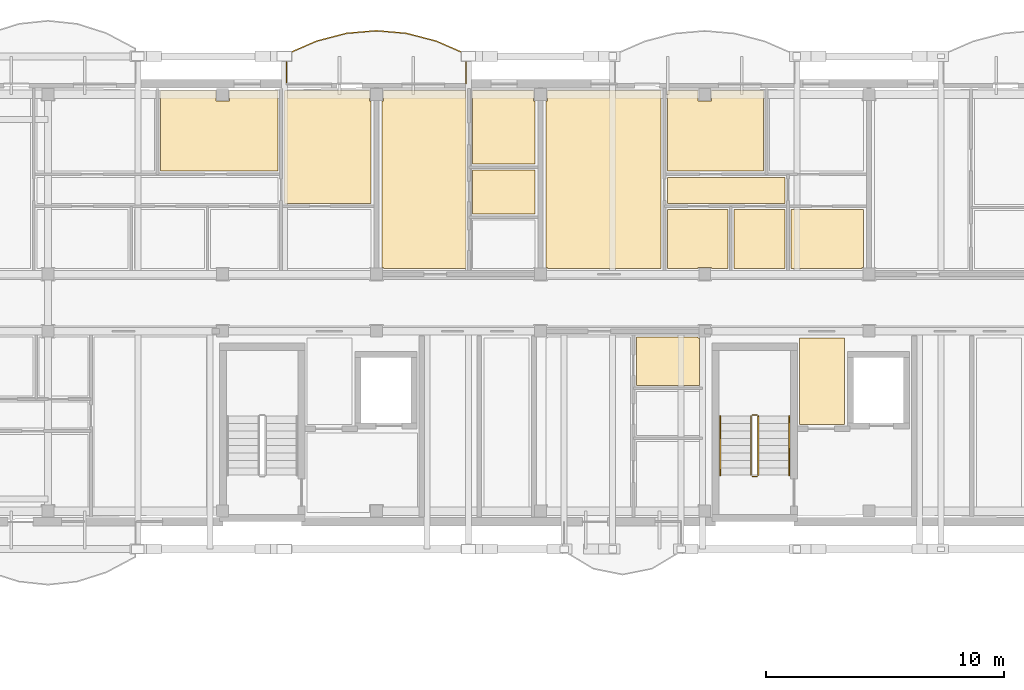
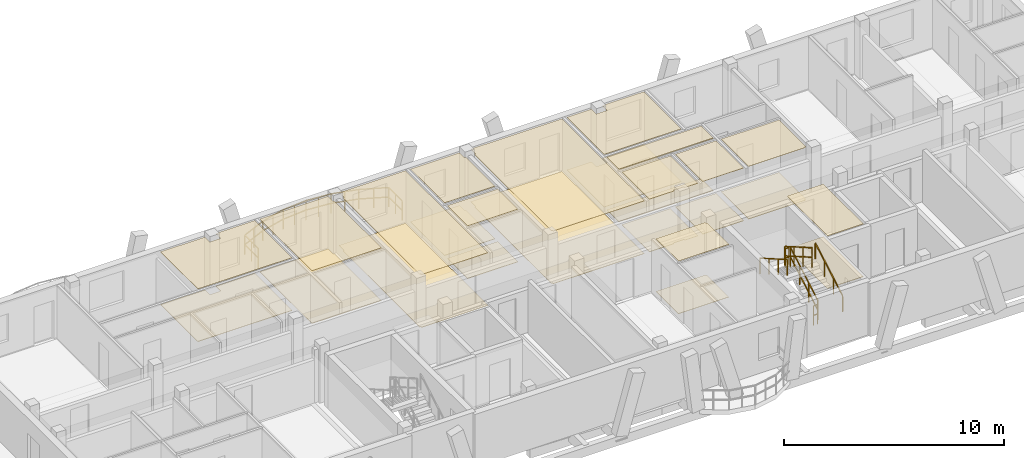
# One storey, part 107 of 109: 26 coverings, 7 railings.
"""IFC4 building model written with IfcOpenShell, lengths in metres."""

from ifc_helpers import new_model, si_unit, direction, frame, origin, origin_2d, place, context, subcontext, project, spatial, polyline, rectangle, outline, extrude, material, layer, layer_set, type_object, element, save


model = new_model("IFC4")

# Units and contexts
model_context = context("Model", 3, precision=1e-05, world=origin(), true_north=direction((0.0, 1.0)))
body_context = subcontext(model_context, "Body", "Model", "MODEL_VIEW")
ifc_project = project(units=[si_unit("LENGTHUNIT", "METRE"), si_unit("AREAUNIT", "SQUARE_METRE"), si_unit("VOLUMEUNIT", "CUBIC_METRE"), si_unit("PLANEANGLEUNIT", "RADIAN"), si_unit("MASSUNIT", "GRAM", prefix="KILO")], contexts=[model_context])

# Site, building, storey
site_placement = place(None, origin())
site = spatial("IfcSite", under=ifc_project, at=site_placement, CompositionType="ELEMENT")
building_placement = place(site_placement, origin())
building = spatial("IfcBuilding", under=site, at=building_placement, Name="Zavelmont Quarter", CompositionType="ELEMENT")
storey_placement = place(building_placement, frame((0.0, 0.0, 8.0)))
storey = spatial("IfcBuildingStorey", under=building, at=storey_placement, Name="L02", CompositionType="ELEMENT", Elevation=8.0)

# Coverings
ifc_material_1 = material(Name="Perforated acoustic gypsum board")
ifc_layer_1 = layer(ifc_material_1, 0.02490234375)
ifc_layer_set_1 = layer_set([ifc_layer_1], Name="Perforated acoustic gypsum board")
covering_type_1 = type_object("IfcCoveringType", Name="CV-CL01", PredefinedType="CEILING", material=ifc_layer_set_1)
covering_1_placement = place(storey_placement, frame((0.0, 0.0, 2.9150390625)))
element("IfcCovering", 1, at=covering_1_placement, inside=storey, type_object=covering_type_1, Name="L02 Lobby Vestibule acoustic ceiling", PredefinedType="CEILING", context=body_context, shape_type="SweptSolid", body=[
    extrude(outline(polyline([(151.280029296875, 105.320068359375), (153.169921875, 105.320068359375), (153.169921875, 101.679931640625), (151.280029296875, 101.679931640625), (151.280029296875, 105.320068359375)])), origin(), (0.0, 0.0, 1.0), 0.02490234375),
])
covering_2_placement = place(storey_placement, frame((0.0, 0.0, 2.9150390625)))
element("IfcCovering", 2, at=covering_2_placement, inside=storey, type_object=covering_type_1, Name="L02 Double Bedroom acoustic ceiling", PredefinedType="CEILING", context=body_context, shape_type="SweptSolid", body=[
    extrude(outline(polyline([(124.429931640625, 115.719970703125), (126.75, 115.719970703125), (126.75, 115.27001953125), (127.330078125, 115.27001953125), (127.330078125, 115.719970703125), (129.3701171875, 115.719970703125), (129.3701171875, 112.330078125), (124.429931640625, 112.330078125), (124.429931640625, 115.719970703125)])), origin(), (0.0, 0.0, 1.0), 0.02490234375),
])
covering_3_placement = place(storey_placement, frame((0.0, 0.0, 2.9150390625)))
element("IfcCovering", 3, at=covering_3_placement, inside=storey, type_object=covering_type_1, Name="L02 Master Bedroom acoustic ceiling", PredefinedType="CEILING", context=body_context, shape_type="SweptSolid", body=[
    extrude(outline(polyline([(129.6298828125, 115.719970703125), (133.2099609375, 115.719970703125), (133.2099609375, 115.27001953125), (133.27001953125, 115.27001953125), (133.27001953125, 110.97998046875), (129.6298828125, 110.97998046875), (129.6298828125, 115.719970703125)])), origin(), (0.0, 0.0, 1.0), 0.02490234375),
])
covering_4_placement = place(storey_placement, frame((0.0, 0.0, 2.9150390625)))
element("IfcCovering", 4, at=covering_4_placement, inside=storey, type_object=covering_type_1, Name="L02 Living Dining acoustic ceiling", PredefinedType="CEILING", context=body_context, shape_type="SweptSolid", body=[
    extrude(outline(polyline([(133.72998046875, 115.27001953125), (133.7900390625, 115.27001953125), (133.7900390625, 115.719970703125), (137.27001953125, 115.719970703125), (137.27001953125, 108.22998046875), (133.7900390625, 108.22998046875), (133.7900390625, 108.2900390625), (133.72998046875, 108.2900390625), (133.72998046875, 115.27001953125)])), origin(), (0.0, 0.0, 1.0), 0.02490234375),
])
covering_5_placement = place(storey_placement, frame((0.0, 0.0, 2.9150390625)))
element("IfcCovering", 5, at=covering_5_placement, inside=storey, type_object=covering_type_1, Name="L02 Single Bedroom acoustic ceiling", PredefinedType="CEILING", context=body_context, shape_type="SweptSolid", body=[
    extrude(outline(polyline([(137.530029296875, 115.719970703125), (140.110107421875, 115.719970703125), (140.110107421875, 115.27001953125), (140.169921875, 115.27001953125), (140.169921875, 112.6298828125), (137.530029296875, 112.6298828125), (137.530029296875, 115.719970703125)])), origin(), (0.0, 0.0, 1.0), 0.02490234375),
])
covering_6_placement = place(storey_placement, frame((0.0, 0.0, 2.9150390625)))
element("IfcCovering", 6, at=covering_6_placement, inside=storey, type_object=covering_type_1, Name="L02 Living Dining acoustic ceiling", PredefinedType="CEILING", context=body_context, shape_type="SweptSolid", body=[
    extrude(outline(polyline([(140.6298828125, 115.27001953125), (140.68994140625, 115.27001953125), (140.68994140625, 115.719970703125), (145.469970703125, 115.719970703125), (145.469970703125, 108.22998046875), (140.68994140625, 108.22998046875), (140.68994140625, 108.2900390625), (140.6298828125, 108.2900390625), (140.6298828125, 115.27001953125)])), origin(), (0.0, 0.0, 1.0), 0.02490234375),
])
covering_7_placement = place(storey_placement, frame((0.0, 0.0, 2.9150390625)))
element("IfcCovering", 7, at=covering_7_placement, inside=storey, type_object=covering_type_1, Name="L02 Kitchen acoustic ceiling", PredefinedType="CEILING", context=body_context, shape_type="SweptSolid", body=[
    extrude(outline(polyline([(145.72998046875, 110.719970703125), (148.27001953125, 110.719970703125), (148.27001953125, 108.22998046875), (147.590087890625, 108.22998046875), (147.590087890625, 108.2900390625), (147.010009765625, 108.2900390625), (147.010009765625, 108.22998046875), (145.72998046875, 108.22998046875), (145.72998046875, 110.719970703125)])), origin(), (0.0, 0.0, 1.0), 0.02490234375),
])
covering_8_placement = place(storey_placement, frame((0.0, 0.0, 2.9150390625)))
element("IfcCovering", 8, at=covering_8_placement, inside=storey, type_object=covering_type_1, Name="L02 Master Bedroom acoustic ceiling", PredefinedType="CEILING", context=body_context, shape_type="SweptSolid", body=[
    extrude(outline(polyline([(145.72998046875, 115.719970703125), (147.010009765625, 115.719970703125), (147.010009765625, 115.27001953125), (147.590087890625, 115.27001953125), (147.590087890625, 115.719970703125), (149.77001953125, 115.719970703125), (149.77001953125, 112.330078125), (145.72998046875, 112.330078125), (145.72998046875, 115.719970703125)])), origin(), (0.0, 0.0, 1.0), 0.02490234375),
])
covering_9_placement = place(storey_placement, frame((0.0, 0.0, 2.9150390625)))
element("IfcCovering", 9, at=covering_9_placement, inside=storey, type_object=covering_type_1, Name="L02 Kitchen acoustic ceiling", PredefinedType="CEILING", context=body_context, shape_type="SweptSolid", body=[
    extrude(outline(polyline([(144.429931640625, 105.3701171875), (147.010009765625, 105.3701171875), (147.010009765625, 105.31005859375), (147.070068359375, 105.31005859375), (147.070068359375, 103.330078125), (144.429931640625, 103.330078125), (144.429931640625, 105.3701171875)])), origin(), (0.0, 0.0, 1.0), 0.02490234375),
])
ifc_material_2 = material(Name="Slatted European ash acoustic baffle ceiling")
ifc_layer_2 = layer(ifc_material_2, 0.0400390625)
ifc_layer_set_2 = layer_set([ifc_layer_2], Name="Slatted European ash acoustic baffle ceiling")
covering_type_2 = type_object("IfcCoveringType", Name="CV-CL02", PredefinedType="CEILING", material=ifc_layer_set_2)
covering_10_placement = place(storey_placement, frame((0.0, 0.0, 2.89990234375)))
element("IfcCovering", 10, at=covering_10_placement, inside=storey, type_object=covering_type_2, Name="L02 Apartment Hall acoustic ceiling", PredefinedType="CEILING", context=body_context, shape_type="SweptSolid", body=[
    extrude(outline(polyline([(145.72998046875, 112.070068359375), (150.669921875, 112.070068359375), (150.669921875, 110.97998046875), (145.72998046875, 110.97998046875), (145.72998046875, 112.070068359375)])), origin(), (0.0, 0.0, 1.0), 0.0400390625),
])
ifc_material_3 = material(Name="Moisture-resistant painted gypsum ceiling")
ifc_layer_3 = layer(ifc_material_3, 0.02001953125)
ifc_layer_set_3 = layer_set([ifc_layer_3], Name="Moisture-resistant painted gypsum ceiling")
covering_type_3 = type_object("IfcCoveringType", Name="CV-CL04", PredefinedType="CEILING", material=ifc_layer_set_3)
covering_11_placement = place(storey_placement, frame((0.0, 0.0, 2.919921875)))
element("IfcCovering", 11, at=covering_11_placement, inside=storey, type_object=covering_type_3, Name="L02 Bathroom acoustic ceiling", PredefinedType="CEILING", context=body_context, shape_type="SweptSolid", body=[
    extrude(outline(polyline([(137.530029296875, 112.3701171875), (140.169921875, 112.3701171875), (140.169921875, 110.530029296875), (137.530029296875, 110.530029296875), (137.530029296875, 112.3701171875)])), origin(), (0.0, 0.0, 1.0), 0.02001953125),
])
covering_12_placement = place(storey_placement, frame((0.0, 0.0, 2.919921875)))
element("IfcCovering", 12, at=covering_12_placement, inside=storey, type_object=covering_type_3, Name="L02 Bathroom acoustic ceiling", PredefinedType="CEILING", context=body_context, shape_type="SweptSolid", body=[
    extrude(outline(polyline([(148.530029296875, 110.719970703125), (150.669921875, 110.719970703125), (150.669921875, 108.22998046875), (148.530029296875, 108.22998046875), (148.530029296875, 110.719970703125)])), origin(), (0.0, 0.0, 1.0), 0.02001953125),
])
covering_13_placement = place(storey_placement, frame((0.0, 0.0, 2.919921875)))
element("IfcCovering", 13, at=covering_13_placement, inside=storey, type_object=covering_type_3, Name="L02 Bathroom acoustic ceiling", PredefinedType="CEILING", context=body_context, shape_type="SweptSolid", body=[
    extrude(outline(polyline([(150.929931640625, 110.719970703125), (153.969970703125, 110.719970703125), (153.969970703125, 108.2900390625), (153.909912109375, 108.2900390625), (153.909912109375, 108.22998046875), (150.929931640625, 108.22998046875), (150.929931640625, 110.719970703125)])), origin(), (0.0, 0.0, 1.0), 0.02001953125),
])
ifc_material_4 = material(Name="Engineered European oak parquet")
ifc_layer_4 = layer(ifc_material_4, 0.02197265625)
ifc_layer_set_4 = layer_set([ifc_layer_4], Name="Engineered European oak parquet")
covering_type_4 = type_object("IfcCoveringType", Name="CV-FL01", PredefinedType="FLOORING", material=ifc_layer_set_4)
covering_14_placement = place(storey_placement, origin())
element("IfcCovering", 14, at=covering_14_placement, inside=storey, type_object=covering_type_4, Name="L02 Lobby Vestibule floor finish", PredefinedType="FLOORING", context=body_context, shape_type="SweptSolid", body=[
    extrude(outline(polyline([(151.280029296875, 105.320068359375), (153.169921875, 105.320068359375), (153.169921875, 101.679931640625), (151.280029296875, 101.679931640625), (151.280029296875, 105.320068359375)])), origin(), (0.0, 0.0, 1.0), 0.02197265625),
])
covering_15_placement = place(storey_placement, origin())
element("IfcCovering", 15, at=covering_15_placement, inside=storey, type_object=covering_type_4, Name="L02 Double Bedroom floor finish", PredefinedType="FLOORING", context=body_context, shape_type="SweptSolid", body=[
    extrude(outline(polyline([(124.429931640625, 115.719970703125), (126.75, 115.719970703125), (126.75, 115.27001953125), (127.330078125, 115.27001953125), (127.330078125, 115.719970703125), (129.3701171875, 115.719970703125), (129.3701171875, 112.330078125), (124.429931640625, 112.330078125), (124.429931640625, 115.719970703125)])), origin(), (0.0, 0.0, 1.0), 0.02197265625),
])
covering_16_placement = place(storey_placement, origin())
element("IfcCovering", 16, at=covering_16_placement, inside=storey, type_object=covering_type_4, Name="L02 Master Bedroom floor finish", PredefinedType="FLOORING", context=body_context, shape_type="SweptSolid", body=[
    extrude(outline(polyline([(129.6298828125, 115.719970703125), (133.2099609375, 115.719970703125), (133.2099609375, 115.27001953125), (133.27001953125, 115.27001953125), (133.27001953125, 110.97998046875), (129.6298828125, 110.97998046875), (129.6298828125, 115.719970703125)])), origin(), (0.0, 0.0, 1.0), 0.02197265625),
])
covering_17_placement = place(storey_placement, origin())
element("IfcCovering", 17, at=covering_17_placement, inside=storey, type_object=covering_type_4, Name="L02 Living Dining floor finish", PredefinedType="FLOORING", context=body_context, shape_type="SweptSolid", body=[
    extrude(outline(polyline([(133.72998046875, 115.27001953125), (133.7900390625, 115.27001953125), (133.7900390625, 115.719970703125), (137.27001953125, 115.719970703125), (137.27001953125, 108.22998046875), (133.7900390625, 108.22998046875), (133.7900390625, 108.2900390625), (133.72998046875, 108.2900390625), (133.72998046875, 115.27001953125)])), origin(), (0.0, 0.0, 1.0), 0.02197265625),
])
covering_18_placement = place(storey_placement, origin())
element("IfcCovering", 18, at=covering_18_placement, inside=storey, type_object=covering_type_4, Name="L02 Single Bedroom floor finish", PredefinedType="FLOORING", context=body_context, shape_type="SweptSolid", body=[
    extrude(outline(polyline([(137.530029296875, 115.719970703125), (140.110107421875, 115.719970703125), (140.110107421875, 115.27001953125), (140.169921875, 115.27001953125), (140.169921875, 112.6298828125), (137.530029296875, 112.6298828125), (137.530029296875, 115.719970703125)])), origin(), (0.0, 0.0, 1.0), 0.02197265625),
])
covering_19_placement = place(storey_placement, origin())
element("IfcCovering", 19, at=covering_19_placement, inside=storey, type_object=covering_type_4, Name="L02 Living Dining floor finish", PredefinedType="FLOORING", context=body_context, shape_type="SweptSolid", body=[
    extrude(outline(polyline([(140.6298828125, 115.27001953125), (140.68994140625, 115.27001953125), (140.68994140625, 115.719970703125), (145.469970703125, 115.719970703125), (145.469970703125, 108.22998046875), (140.68994140625, 108.22998046875), (140.68994140625, 108.2900390625), (140.6298828125, 108.2900390625), (140.6298828125, 115.27001953125)])), origin(), (0.0, 0.0, 1.0), 0.02197265625),
])
covering_20_placement = place(storey_placement, origin())
element("IfcCovering", 20, at=covering_20_placement, inside=storey, type_object=covering_type_4, Name="L02 Kitchen floor finish", PredefinedType="FLOORING", context=body_context, shape_type="SweptSolid", body=[
    extrude(outline(polyline([(145.72998046875, 110.719970703125), (148.27001953125, 110.719970703125), (148.27001953125, 108.22998046875), (147.590087890625, 108.22998046875), (147.590087890625, 108.2900390625), (147.010009765625, 108.2900390625), (147.010009765625, 108.22998046875), (145.72998046875, 108.22998046875), (145.72998046875, 110.719970703125)])), origin(), (0.0, 0.0, 1.0), 0.02197265625),
])
covering_21_placement = place(storey_placement, origin())
element("IfcCovering", 21, at=covering_21_placement, inside=storey, type_object=covering_type_4, Name="L02 Master Bedroom floor finish", PredefinedType="FLOORING", context=body_context, shape_type="SweptSolid", body=[
    extrude(outline(polyline([(145.72998046875, 115.719970703125), (147.010009765625, 115.719970703125), (147.010009765625, 115.27001953125), (147.590087890625, 115.27001953125), (147.590087890625, 115.719970703125), (149.77001953125, 115.719970703125), (149.77001953125, 112.330078125), (145.72998046875, 112.330078125), (145.72998046875, 115.719970703125)])), origin(), (0.0, 0.0, 1.0), 0.02197265625),
])
covering_22_placement = place(storey_placement, origin())
element("IfcCovering", 22, at=covering_22_placement, inside=storey, type_object=covering_type_4, Name="L02 Kitchen floor finish", PredefinedType="FLOORING", context=body_context, shape_type="SweptSolid", body=[
    extrude(outline(polyline([(144.429931640625, 105.3701171875), (147.010009765625, 105.3701171875), (147.010009765625, 105.31005859375), (147.070068359375, 105.31005859375), (147.070068359375, 103.330078125), (144.429931640625, 103.330078125), (144.429931640625, 105.3701171875)])), origin(), (0.0, 0.0, 1.0), 0.02197265625),
])
ifc_material_5 = material(Name="Honed Belgian bluestone tile", Category="masonry")
ifc_layer_5 = layer(ifc_material_5, 0.030029296875)
ifc_layer_set_5 = layer_set([ifc_layer_5], Name="Honed Belgian bluestone tile")
covering_type_5 = type_object("IfcCoveringType", Name="CV-FL02", PredefinedType="FLOORING", material=ifc_layer_set_5)
covering_23_placement = place(storey_placement, origin())
element("IfcCovering", 23, at=covering_23_placement, inside=storey, type_object=covering_type_5, Name="L02 Apartment Hall floor finish", PredefinedType="FLOORING", context=body_context, shape_type="SweptSolid", body=[
    extrude(outline(polyline([(145.72998046875, 112.070068359375), (150.669921875, 112.070068359375), (150.669921875, 110.97998046875), (145.72998046875, 110.97998046875), (145.72998046875, 112.070068359375)])), origin(), (0.0, 0.0, 1.0), 0.030029296875),
])
ifc_material_6 = material(Name="Slip-resistant porcelain tile")
ifc_layer_6 = layer(ifc_material_6, 0.02587890625)
ifc_layer_set_6 = layer_set([ifc_layer_6], Name="Slip-resistant porcelain tile")
covering_type_6 = type_object("IfcCoveringType", Name="CV-FL04", PredefinedType="FLOORING", material=ifc_layer_set_6)
covering_24_placement = place(storey_placement, origin())
element("IfcCovering", 24, at=covering_24_placement, inside=storey, type_object=covering_type_6, Name="L02 Bathroom floor finish", PredefinedType="FLOORING", context=body_context, shape_type="SweptSolid", body=[
    extrude(outline(polyline([(137.530029296875, 112.3701171875), (140.169921875, 112.3701171875), (140.169921875, 110.530029296875), (137.530029296875, 110.530029296875), (137.530029296875, 112.3701171875)])), origin(), (0.0, 0.0, 1.0), 0.02587890625),
])
covering_25_placement = place(storey_placement, origin())
element("IfcCovering", 25, at=covering_25_placement, inside=storey, type_object=covering_type_6, Name="L02 Bathroom floor finish", PredefinedType="FLOORING", context=body_context, shape_type="SweptSolid", body=[
    extrude(outline(polyline([(148.530029296875, 110.719970703125), (150.669921875, 110.719970703125), (150.669921875, 108.22998046875), (148.530029296875, 108.22998046875), (148.530029296875, 110.719970703125)])), origin(), (0.0, 0.0, 1.0), 0.02587890625),
])
covering_26_placement = place(storey_placement, origin())
element("IfcCovering", 26, at=covering_26_placement, inside=storey, type_object=covering_type_6, Name="L02 Bathroom floor finish", PredefinedType="FLOORING", context=body_context, shape_type="SweptSolid", body=[
    extrude(outline(polyline([(150.929931640625, 110.719970703125), (153.969970703125, 110.719970703125), (153.969970703125, 108.2900390625), (153.909912109375, 108.2900390625), (153.909912109375, 108.22998046875), (150.929931640625, 108.22998046875), (150.929931640625, 110.719970703125)])), origin(), (0.0, 0.0, 1.0), 0.02587890625),
])

# Railings
ifc_material_7 = material(Name="Powder-coated steel and tempered double safety glass", Category="steel")
railing_type_1 = type_object("IfcRailingType", Name="RL-BAL1", PredefinedType="BALUSTRADE", material=ifc_material_7)
railing_1_placement = place(storey_placement, frame((137.270751953125, 116.02001953125, 0.0)))
element("IfcRailing", 27, at=railing_1_placement, inside=storey, type_object=railing_type_1, Name="L02 Block C curved balcony guard RL-BAL1", PredefinedType="BALUSTRADE", context=body_context, shape_type="SweptSolid", body=[
    extrude(rectangle(XDim=0.048095703125, YDim=0.048095703125, at=origin_2d()), frame((0.0, 0.0, 1.076171875), z_axis=(0.0, 1.0, 0.0), x_axis=(-1.0, 0.0, 0.0)), (0.0, 0.0, 1.0), 1.23095703125),
    extrude(rectangle(XDim=0.048095703125, YDim=0.048095703125, at=origin_2d()), frame((0.0, 0.0, 0.550048828125), z_axis=(0.0, 1.0, 0.0), x_axis=(-1.0, 0.0, 0.0)), (0.0, 0.0, 1.0), 1.23095703125),
    extrude(rectangle(XDim=0.048095703125, YDim=0.048095703125, at=origin_2d()), frame((0.0, 1.23095703125, 1.076171875), z_axis=(-0.917152175946, 0.398537182904, 0.0), x_axis=(-0.398537182904, -0.917152175946, 0.0)), (0.0, 0.0, 1.0), 1.370361328125),
    extrude(rectangle(XDim=0.048095703125, YDim=0.048095703125, at=origin_2d()), frame((0.0, 1.23095703125, 0.550048828125), z_axis=(-0.917152175946, 0.398537182904, 0.0), x_axis=(-0.398537182904, -0.917152175946, 0.0)), (0.0, 0.0, 1.0), 1.370361328125),
    extrude(rectangle(XDim=0.048095703125, YDim=0.048095703125, at=origin_2d()), frame((-1.2568359375, 1.777099609375, 1.076171875), z_axis=(-0.967673130002, 0.252207679251, 0.0), x_axis=(-0.252207679251, -0.967673130002, 0.0)), (0.0, 0.0, 1.0), 1.299072265625),
    extrude(rectangle(XDim=0.048095703125, YDim=0.048095703125, at=origin_2d()), frame((-1.2568359375, 1.777099609375, 0.550048828125), z_axis=(-0.967673130002, 0.252207679251, 0.0), x_axis=(-0.252207679251, -0.967673130002, 0.0)), (0.0, 0.0, 1.0), 1.299072265625),
    extrude(rectangle(XDim=0.048095703125, YDim=0.048095703125, at=origin_2d()), frame((-2.513916015625, 2.104736328125, 1.076171875), z_axis=(-0.996251472743, 0.08650435282, 0.0), x_axis=(-0.08650435282, -0.996251472743, 0.0)), (0.0, 0.0, 1.0), 1.261474609375),
    extrude(rectangle(XDim=0.048095703125, YDim=0.048095703125, at=origin_2d()), frame((-2.513916015625, 2.104736328125, 0.550048828125), z_axis=(-0.996251472743, 0.08650435282, 0.0), x_axis=(-0.08650435282, -0.996251472743, 0.0)), (0.0, 0.0, 1.0), 1.261474609375),
    extrude(rectangle(XDim=0.048095703125, YDim=0.048095703125, at=origin_2d()), frame((-3.770751953125, 2.2138671875, 1.076171875), z_axis=(-0.996251472743, -0.08650435282, 0.0), x_axis=(0.08650435282, -0.996251472743, 0.0)), (0.0, 0.0, 1.0), 1.261474609375),
    extrude(rectangle(XDim=0.048095703125, YDim=0.048095703125, at=origin_2d()), frame((-3.770751953125, 2.2138671875, 0.550048828125), z_axis=(-0.996251472743, -0.08650435282, 0.0), x_axis=(0.08650435282, -0.996251472743, 0.0)), (0.0, 0.0, 1.0), 1.261474609375),
    extrude(rectangle(XDim=0.048095703125, YDim=0.048095703125, at=origin_2d()), frame((-5.027587890625, 2.104736328125, 1.076171875), z_axis=(-0.967673130002, -0.252207679251, 0.0), x_axis=(0.252207679251, -0.967673130002, 0.0)), (0.0, 0.0, 1.0), 1.299072265625),
    extrude(rectangle(XDim=0.048095703125, YDim=0.048095703125, at=origin_2d()), frame((-5.027587890625, 2.104736328125, 0.550048828125), z_axis=(-0.967673130002, -0.252207679251, 0.0), x_axis=(0.252207679251, -0.967673130002, 0.0)), (0.0, 0.0, 1.0), 1.299072265625),
    extrude(rectangle(XDim=0.048095703125, YDim=0.048095703125, at=origin_2d()), frame((-6.28466796875, 1.777099609375, 1.076171875), z_axis=(-0.917152175946, -0.398537182904, 0.0), x_axis=(0.398537182904, -0.917152175946, 0.0)), (0.0, 0.0, 1.0), 1.370361328125),
    extrude(rectangle(XDim=0.048095703125, YDim=0.048095703125, at=origin_2d()), frame((-6.28466796875, 1.777099609375, 0.550048828125), z_axis=(-0.917152175946, -0.398537182904, 0.0), x_axis=(0.398537182904, -0.917152175946, 0.0)), (0.0, 0.0, 1.0), 1.370361328125),
    extrude(rectangle(XDim=0.048095703125, YDim=0.048095703125, at=origin_2d()), frame((-7.54150390625, 1.23095703125, 1.076171875), z_axis=(0.0, -1.0, 0.0), x_axis=(1.0, 0.0, 0.0)), (0.0, 0.0, 1.0), 1.23095703125),
    extrude(rectangle(XDim=0.048095703125, YDim=0.048095703125, at=origin_2d()), frame((-7.54150390625, 1.23095703125, 0.550048828125), z_axis=(0.0, -1.0, 0.0), x_axis=(1.0, 0.0, 0.0)), (0.0, 0.0, 1.0), 1.23095703125),
    extrude(rectangle(XDim=0.0419921875, YDim=0.0419921875, at=origin_2d()), origin(), (0.0, 0.0, 1.0), 1.052001953125),
    extrude(rectangle(XDim=0.0419921875, YDim=0.0419921875, at=origin_2d()), frame((0.0, 0.615478515625, 0.0)), (0.0, 0.0, 1.0), 1.052001953125),
    extrude(rectangle(XDim=0.0419921875, YDim=0.0419921875, at=origin_2d()), frame((0.0, 1.23095703125, 0.0)), (0.0, 0.0, 1.0), 1.052001953125),
    extrude(rectangle(XDim=0.0419921875, YDim=0.0419921875, at=origin_2d()), frame((-0.62841796875, 1.50390625, 0.0)), (0.0, 0.0, 1.0), 1.052001953125),
    extrude(rectangle(XDim=0.0419921875, YDim=0.0419921875, at=origin_2d()), frame((-1.2568359375, 1.777099609375, 0.0)), (0.0, 0.0, 1.0), 1.052001953125),
    extrude(rectangle(XDim=0.0419921875, YDim=0.0419921875, at=origin_2d()), frame((-1.88525390625, 1.94091796875, 0.0)), (0.0, 0.0, 1.0), 1.052001953125),
    extrude(rectangle(XDim=0.0419921875, YDim=0.0419921875, at=origin_2d()), frame((-2.513916015625, 2.104736328125, 0.0)), (0.0, 0.0, 1.0), 1.052001953125),
    extrude(rectangle(XDim=0.0419921875, YDim=0.0419921875, at=origin_2d()), frame((-3.142333984375, 2.1591796875, 0.0)), (0.0, 0.0, 1.0), 1.052001953125),
    extrude(rectangle(XDim=0.0419921875, YDim=0.0419921875, at=origin_2d()), frame((-3.770751953125, 2.2138671875, 0.0)), (0.0, 0.0, 1.0), 1.052001953125),
    extrude(rectangle(XDim=0.0419921875, YDim=0.0419921875, at=origin_2d()), frame((-4.399169921875, 2.1591796875, 0.0)), (0.0, 0.0, 1.0), 1.052001953125),
    extrude(rectangle(XDim=0.0419921875, YDim=0.0419921875, at=origin_2d()), frame((-5.027587890625, 2.104736328125, 0.0)), (0.0, 0.0, 1.0), 1.052001953125),
    extrude(rectangle(XDim=0.0419921875, YDim=0.0419921875, at=origin_2d()), frame((-5.65625, 1.94091796875, 0.0)), (0.0, 0.0, 1.0), 1.052001953125),
    extrude(rectangle(XDim=0.0419921875, YDim=0.0419921875, at=origin_2d()), frame((-6.28466796875, 1.777099609375, 0.0)), (0.0, 0.0, 1.0), 1.052001953125),
    extrude(rectangle(XDim=0.0419921875, YDim=0.0419921875, at=origin_2d()), frame((-6.9130859375, 1.50390625, 0.0)), (0.0, 0.0, 1.0), 1.052001953125),
    extrude(rectangle(XDim=0.0419921875, YDim=0.0419921875, at=origin_2d()), frame((-7.54150390625, 1.23095703125, 0.0)), (0.0, 0.0, 1.0), 1.052001953125),
    extrude(rectangle(XDim=0.0419921875, YDim=0.0419921875, at=origin_2d()), frame((-7.54150390625, 0.615478515625, 0.0)), (0.0, 0.0, 1.0), 1.052001953125),
    extrude(rectangle(XDim=0.0419921875, YDim=0.0419921875, at=origin_2d()), frame((-7.54150390625, 0.0, 0.0)), (0.0, 0.0, 1.0), 1.052001953125),
])
ifc_material_8 = material(Name="Powder-coated steel stair guardrail", Category="steel")
railing_type_2 = type_object("IfcRailingType", Name="RL-GRD1", PredefinedType="GUARDRAIL", material=ifc_material_8)
railing_2_placement = place(storey_placement, frame((149.550048828125, 99.550048828125, 0.177734375)))
element("IfcRailing", 28, at=railing_2_placement, inside=storey, type_object=railing_type_2, Name="L02 ST06 stair guardrail 1", PredefinedType="GUARDRAIL", context=body_context, shape_type="SweptSolid", body=[
    extrude(rectangle(XDim=0.048095703125, YDim=0.048095703125, at=origin_2d()), frame((0.0, 0.0, 1.076171875), z_axis=(0.0, 0.867453774394, 0.497517787913), x_axis=(-1.0, 0.0, 0.0)), (0.0, 0.0, 1.0), 2.85888671875),
    extrude(rectangle(XDim=0.048095703125, YDim=0.048095703125, at=origin_2d()), frame((0.0, 0.0, 0.550048828125), z_axis=(0.0, 0.867453774394, 0.497517787913), x_axis=(-1.0, 0.0, 0.0)), (0.0, 0.0, 1.0), 2.85888671875),
    extrude(rectangle(XDim=0.0419921875, YDim=0.0419921875, at=origin_2d()), origin(), (0.0, 0.0, 1.0), 1.052001953125),
    extrude(rectangle(XDim=0.0419921875, YDim=0.0419921875, at=origin_2d()), frame((0.0, 0.82666015625, 0.47412109375)), (0.0, 0.0, 1.0), 1.052001953125),
    extrude(rectangle(XDim=0.0419921875, YDim=0.0419921875, at=origin_2d()), frame((0.0, 1.6533203125, 0.9482421875)), (0.0, 0.0, 1.0), 1.052001953125),
    extrude(rectangle(XDim=0.0419921875, YDim=0.0419921875, at=origin_2d()), frame((0.0, 2.47998046875, 1.42236328125)), (0.0, 0.0, 1.0), 1.052001953125),
])
railing_3_placement = place(storey_placement, frame((149.5, 102.080078125, 1.60009765625)))
element("IfcRailing", 29, at=railing_3_placement, inside=storey, type_object=railing_type_2, Name="L02 ST06 stair guardrail 2", PredefinedType="GUARDRAIL", context=body_context, shape_type="SweptSolid", body=[
    extrude(rectangle(XDim=0.048095703125, YDim=0.048095703125, at=origin_2d()), frame((0.0, 0.0, 1.076171875), z_axis=(-1.0, 0.0, 0.0), x_axis=(0.0, -1.0, 0.0)), (0.0, 0.0, 1.0), 0.199951171875),
    extrude(rectangle(XDim=0.048095703125, YDim=0.048095703125, at=origin_2d()), frame((0.0, 0.0, 0.550048828125), z_axis=(-1.0, 0.0, 0.0), x_axis=(0.0, -1.0, 0.0)), (0.0, 0.0, 1.0), 0.199951171875),
    extrude(rectangle(XDim=0.0419921875, YDim=0.0419921875, at=origin_2d()), origin(), (0.0, 0.0, 1.0), 1.052001953125),
    extrude(rectangle(XDim=0.0419921875, YDim=0.0419921875, at=origin_2d()), frame((-0.199951171875, 0.0, 0.0)), (0.0, 0.0, 1.0), 1.052001953125),
])
railing_4_placement = place(storey_placement, frame((149.25, 102.030029296875, 1.77783203125)))
element("IfcRailing", 30, at=railing_4_placement, inside=storey, type_object=railing_type_2, Name="L02 ST06 stair guardrail 3", PredefinedType="GUARDRAIL", context=body_context, shape_type="SweptSolid", body=[
    extrude(rectangle(XDim=0.048095703125, YDim=0.048095703125, at=origin_2d()), frame((0.0, 0.0, 1.076171875), z_axis=(0.0, -0.867490628297, 0.497453525283), x_axis=(1.0, 0.0, 0.0)), (0.0, 0.0, 1.0), 2.85888671875),
    extrude(rectangle(XDim=0.048095703125, YDim=0.048095703125, at=origin_2d()), frame((0.0, 0.0, 0.550048828125), z_axis=(0.0, -0.867490628297, 0.497453525283), x_axis=(1.0, 0.0, 0.0)), (0.0, 0.0, 1.0), 2.85888671875),
    extrude(rectangle(XDim=0.0419921875, YDim=0.0419921875, at=origin_2d()), origin(), (0.0, 0.0, 1.0), 1.052001953125),
    extrude(rectangle(XDim=0.0419921875, YDim=0.0419921875, at=origin_2d()), frame((0.0, -0.82666015625, 0.47412109375)), (0.0, 0.0, 1.0), 1.052001953125),
    extrude(rectangle(XDim=0.0419921875, YDim=0.0419921875, at=origin_2d()), frame((0.0, -1.6533203125, 0.947998046875)), (0.0, 0.0, 1.0), 1.052001953125),
    extrude(rectangle(XDim=0.0419921875, YDim=0.0419921875, at=origin_2d()), frame((0.0, -2.47998046875, 1.422119140625)), (0.0, 0.0, 1.0), 1.052001953125),
])
railing_5_placement = place(storey_placement, frame((149.5, 99.5, 0.0)))
element("IfcRailing", 31, at=railing_5_placement, inside=storey, type_object=railing_type_2, Name="L02 ST06 stair guardrail 4", PredefinedType="GUARDRAIL", context=body_context, shape_type="SweptSolid", body=[
    extrude(rectangle(XDim=0.048095703125, YDim=0.048095703125, at=origin_2d()), frame((0.0, 0.0, 1.076171875), z_axis=(-1.0, 0.0, 0.0), x_axis=(0.0, -1.0, 0.0)), (0.0, 0.0, 1.0), 0.199951171875),
    extrude(rectangle(XDim=0.048095703125, YDim=0.048095703125, at=origin_2d()), frame((0.0, 0.0, 0.550048828125), z_axis=(-1.0, 0.0, 0.0), x_axis=(0.0, -1.0, 0.0)), (0.0, 0.0, 1.0), 0.199951171875),
    extrude(rectangle(XDim=0.0419921875, YDim=0.0419921875, at=origin_2d()), origin(), (0.0, 0.0, 1.0), 1.052001953125),
    extrude(rectangle(XDim=0.0419921875, YDim=0.0419921875, at=origin_2d()), frame((-0.199951171875, 0.0, 0.0)), (0.0, 0.0, 1.0), 1.052001953125),
])
ifc_material_9 = material(Name="Brushed stainless-steel wall handrail", Category="steel")
railing_type_3 = type_object("IfcRailingType", Name="RL-HND1", PredefinedType="HANDRAIL", material=ifc_material_9)
railing_6_placement = place(storey_placement, frame((150.85009765625, 99.550048828125, 0.177734375)))
element("IfcRailing", 32, at=railing_6_placement, inside=storey, type_object=railing_type_3, Name="L02 ST06 stair handrail 1", PredefinedType="HANDRAIL", context=body_context, shape_type="SweptSolid", body=[
    extrude(rectangle(XDim=0.048095703125, YDim=0.048095703125, at=origin_2d()), frame((0.0, 0.0, 0.8759765625), z_axis=(0.0, 0.867453774394, 0.497517787913), x_axis=(-1.0, 0.0, 0.0)), (0.0, 0.0, 1.0), 2.85888671875),
    extrude(rectangle(XDim=0.0419921875, YDim=0.0419921875, at=origin_2d()), origin(), (0.0, 0.0, 1.0), 0.851806640625),
    extrude(rectangle(XDim=0.0419921875, YDim=0.0419921875, at=origin_2d()), frame((0.0, 0.82666015625, 0.47412109375)), (0.0, 0.0, 1.0), 0.851806640625),
    extrude(rectangle(XDim=0.0419921875, YDim=0.0419921875, at=origin_2d()), frame((0.0, 1.6533203125, 0.9482421875)), (0.0, 0.0, 1.0), 0.851806640625),
    extrude(rectangle(XDim=0.0419921875, YDim=0.0419921875, at=origin_2d()), frame((0.0, 2.47998046875, 1.42236328125)), (0.0, 0.0, 1.0), 0.851806640625),
])
railing_7_placement = place(storey_placement, frame((147.949951171875, 102.030029296875, 1.77783203125)))
element("IfcRailing", 33, at=railing_7_placement, inside=storey, type_object=railing_type_3, Name="L02 ST06 stair handrail 2", PredefinedType="HANDRAIL", context=body_context, shape_type="SweptSolid", body=[
    extrude(rectangle(XDim=0.048095703125, YDim=0.048095703125, at=origin_2d()), frame((0.0, 0.0, 0.8759765625), z_axis=(0.0, -0.867490628297, 0.497453525283), x_axis=(1.0, 0.0, 0.0)), (0.0, 0.0, 1.0), 2.85888671875),
    extrude(rectangle(XDim=0.0419921875, YDim=0.0419921875, at=origin_2d()), origin(), (0.0, 0.0, 1.0), 0.851806640625),
    extrude(rectangle(XDim=0.0419921875, YDim=0.0419921875, at=origin_2d()), frame((0.0, -0.82666015625, 0.47412109375)), (0.0, 0.0, 1.0), 0.851806640625),
    extrude(rectangle(XDim=0.0419921875, YDim=0.0419921875, at=origin_2d()), frame((0.0, -1.6533203125, 0.947998046875)), (0.0, 0.0, 1.0), 0.851806640625),
    extrude(rectangle(XDim=0.0419921875, YDim=0.0419921875, at=origin_2d()), frame((0.0, -2.47998046875, 1.422119140625)), (0.0, 0.0, 1.0), 0.851806640625),
])

save(model, "model.ifc")
